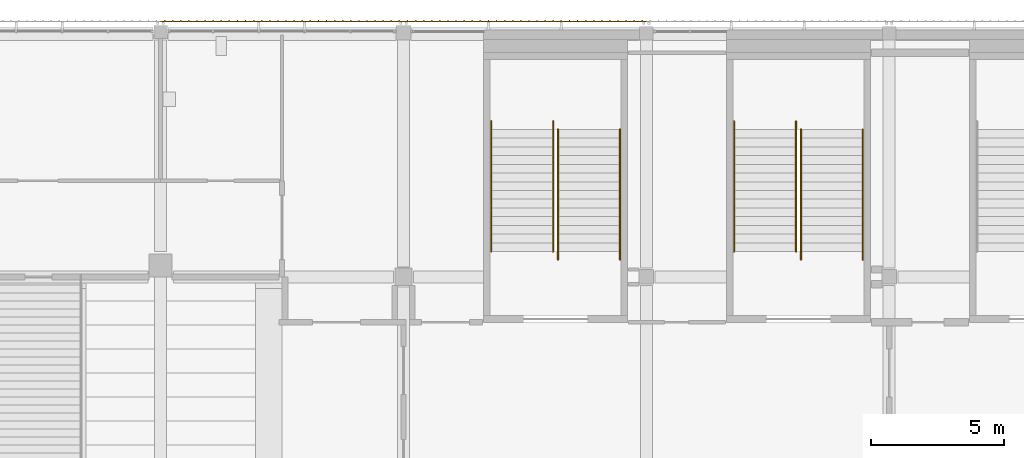
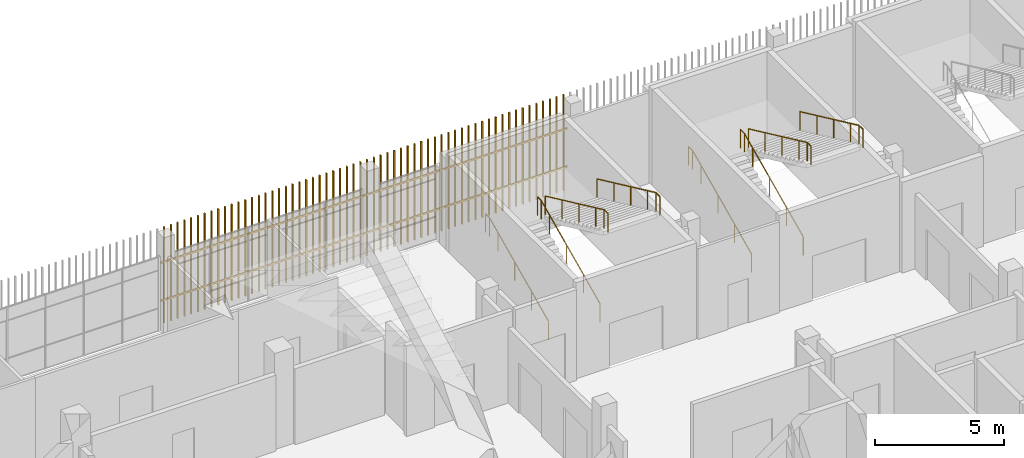
# One storey, part 129 of 139: 8 railings, 2 shading devices.
"""IFC4 building model written with IfcOpenShell, lengths in metres."""

from ifc_helpers import new_model, si_unit, direction, frame, origin, origin_2d, place, context, subcontext, project, spatial, rectangle, circle, extrude, material, type_object, element, save


model = new_model("IFC4")

# Units and contexts
model_context = context("Model", 3, precision=1e-05, world=origin(), true_north=direction((0.0, 1.0)))
body_context = subcontext(model_context, "Body", "Model", "MODEL_VIEW")
ifc_project = project(units=[si_unit("LENGTHUNIT", "METRE"), si_unit("AREAUNIT", "SQUARE_METRE"), si_unit("VOLUMEUNIT", "CUBIC_METRE"), si_unit("PLANEANGLEUNIT", "RADIAN"), si_unit("MASSUNIT", "GRAM", prefix="KILO")], contexts=[model_context])

# Site, building, storey
site_placement = place(None, origin())
site = spatial("IfcSite", under=ifc_project, at=site_placement, CompositionType="ELEMENT")
building_placement = place(site_placement, origin())
building = spatial("IfcBuilding", under=site, at=building_placement, Name="Shirokan Park Arena", CompositionType="ELEMENT")
storey_placement = place(building_placement, frame((0.0, 0.0, 15.469970703125)))
storey = spatial("IfcBuildingStorey", under=building, at=storey_placement, Name="L03", CompositionType="ELEMENT", Elevation=15.469970703125)

# Railings
ifc_material_1 = material(Name="Stainless steel", Category="steel")
railing_type = type_object("IfcRailingType", Name="Stair handrail 900", PredefinedType="HANDRAIL", material=ifc_material_1)
railing_1_placement = place(storey_placement, frame((121.590087890625, 101.050048828125, 0.151611328125)))
element("IfcRailing", 1, at=railing_1_placement, inside=storey, type_object=railing_type, Name="Handrail Exit Stair 3.C L03 to L04", PredefinedType="HANDRAIL", context=body_context, shape_type="SweptSolid", body=[
    extrude(circle(Radius=0.02392578125, at=origin_2d()), frame((0.0, 0.0, 0.8759765625), z_axis=(0.0, 0.906999720516, 0.421131222998), x_axis=(-1.0, 0.0, 0.0)), (0.0, 0.0, 1.0), 1.440673828125),
    extrude(circle(Radius=0.02392578125, at=origin_2d()), frame((0.0, 1.306640625, 1.482421875), z_axis=(0.0, 0.907029769225, 0.421066500378), x_axis=(-1.0, 0.0, 0.0)), (0.0, 0.0, 1.0), 1.44091796875),
    extrude(circle(Radius=0.02392578125, at=origin_2d()), frame((0.0, 2.613525390625, 2.08935546875), z_axis=(0.0, 0.907029769225, 0.421066500378), x_axis=(-1.0, 0.0, 0.0)), (0.0, 0.0, 1.0), 1.44091796875),
    extrude(circle(Radius=0.02392578125, at=origin_2d()), frame((0.0, 3.92041015625, 2.69580078125), z_axis=(0.0, 0.906934982928, 0.421270621741), x_axis=(-1.0, 0.0, 0.0)), (0.0, 0.0, 1.0), 0.720458984375),
    extrude(circle(Radius=0.02392578125, at=origin_2d()), frame((0.0, 4.57373046875, 2.99951171875), z_axis=(0.0, 1.0, 0.0), x_axis=(-1.0, 0.0, 0.0)), (0.0, 0.0, 1.0), 0.300048828125),
    extrude(circle(Radius=0.02099609375, at=origin_2d()), origin(), (0.0, 0.0, 1.0), 0.851806640625),
    extrude(circle(Radius=0.02099609375, at=origin_2d()), frame((0.0, 1.306640625, 0.606689453125)), (0.0, 0.0, 1.0), 0.851806640625),
    extrude(circle(Radius=0.02099609375, at=origin_2d()), frame((0.0, 2.613525390625, 1.21337890625)), (0.0, 0.0, 1.0), 0.851806640625),
    extrude(circle(Radius=0.02099609375, at=origin_2d()), frame((0.0, 3.92041015625, 1.820068359375)), (0.0, 0.0, 1.0), 0.851806640625),
    extrude(circle(Radius=0.02099609375, at=origin_2d()), frame((0.0, 4.57373046875, 2.12353515625)), (0.0, 0.0, 1.0), 0.851806640625),
    extrude(circle(Radius=0.02099609375, at=origin_2d()), frame((0.0, 4.873779296875, 2.12353515625)), (0.0, 0.0, 1.0), 0.851806640625),
])
railing_2_placement = place(storey_placement, frame((123.909912109375, 101.050048828125, 0.151611328125)))
element("IfcRailing", 2, at=railing_2_placement, inside=storey, type_object=railing_type, Name="Handrail Exit Stair 3.C L03 to L04", PredefinedType="HANDRAIL", context=body_context, shape_type="SweptSolid", body=[
    extrude(circle(Radius=0.02392578125, at=origin_2d()), frame((0.0, 0.0, 0.8759765625), z_axis=(0.0, 0.906999720516, 0.421131222998), x_axis=(-1.0, 0.0, 0.0)), (0.0, 0.0, 1.0), 1.440673828125),
    extrude(circle(Radius=0.02392578125, at=origin_2d()), frame((0.0, 1.306640625, 1.482421875), z_axis=(0.0, 0.907029769225, 0.421066500378), x_axis=(-1.0, 0.0, 0.0)), (0.0, 0.0, 1.0), 1.44091796875),
    extrude(circle(Radius=0.02392578125, at=origin_2d()), frame((0.0, 2.613525390625, 2.08935546875), z_axis=(0.0, 0.907029769225, 0.421066500378), x_axis=(-1.0, 0.0, 0.0)), (0.0, 0.0, 1.0), 1.44091796875),
    extrude(circle(Radius=0.02392578125, at=origin_2d()), frame((0.0, 3.92041015625, 2.69580078125), z_axis=(0.0, 0.906934982928, 0.421270621741), x_axis=(-1.0, 0.0, 0.0)), (0.0, 0.0, 1.0), 0.720458984375),
    extrude(circle(Radius=0.02392578125, at=origin_2d()), frame((0.0, 4.57373046875, 2.99951171875), z_axis=(0.0, 1.0, 0.0), x_axis=(-1.0, 0.0, 0.0)), (0.0, 0.0, 1.0), 0.300048828125),
    extrude(circle(Radius=0.02099609375, at=origin_2d()), origin(), (0.0, 0.0, 1.0), 0.851806640625),
    extrude(circle(Radius=0.02099609375, at=origin_2d()), frame((0.0, 1.306640625, 0.606689453125)), (0.0, 0.0, 1.0), 0.851806640625),
    extrude(circle(Radius=0.02099609375, at=origin_2d()), frame((0.0, 2.613525390625, 1.21337890625)), (0.0, 0.0, 1.0), 0.851806640625),
    extrude(circle(Radius=0.02099609375, at=origin_2d()), frame((0.0, 3.92041015625, 1.820068359375)), (0.0, 0.0, 1.0), 0.851806640625),
    extrude(circle(Radius=0.02099609375, at=origin_2d()), frame((0.0, 4.57373046875, 2.12353515625)), (0.0, 0.0, 1.0), 0.851806640625),
    extrude(circle(Radius=0.02099609375, at=origin_2d()), frame((0.0, 4.873779296875, 2.12353515625)), (0.0, 0.0, 1.0), 0.851806640625),
])
railing_3_placement = place(storey_placement, frame((124.090087890625, 105.623779296875, 2.4267578125)))
element("IfcRailing", 3, at=railing_3_placement, inside=storey, type_object=railing_type, Name="Handrail Exit Stair 3.C L03 to L04", PredefinedType="HANDRAIL", context=body_context, shape_type="SweptSolid", body=[
    extrude(circle(Radius=0.02392578125, at=origin_2d()), frame((0.0, 0.0, 0.8759765625), z_axis=(0.0, -0.907029769225, 0.421066500378), x_axis=(1.0, 0.0, 0.0)), (0.0, 0.0, 1.0), 1.44091796875),
    extrude(circle(Radius=0.02392578125, at=origin_2d()), frame((0.0, -1.306884765625, 1.482421875), z_axis=(0.0, -0.906999720516, 0.421131222998), x_axis=(1.0, 0.0, 0.0)), (0.0, 0.0, 1.0), 1.440673828125),
    extrude(circle(Radius=0.02392578125, at=origin_2d()), frame((0.0, -2.613525390625, 2.08935546875), z_axis=(0.0, -0.907094476872, 0.420927083981), x_axis=(1.0, 0.0, 0.0)), (0.0, 0.0, 1.0), 1.440673828125),
    extrude(circle(Radius=0.02392578125, at=origin_2d()), frame((0.0, -3.92041015625, 2.69580078125), z_axis=(0.0, -0.906934982928, 0.421270621741), x_axis=(1.0, 0.0, 0.0)), (0.0, 0.0, 1.0), 0.720458984375),
    extrude(circle(Radius=0.02392578125, at=origin_2d()), frame((0.0, -4.57373046875, 2.9990234375), z_axis=(0.0, -1.0, 0.0), x_axis=(1.0, 0.0, 0.0)), (0.0, 0.0, 1.0), 0.300048828125),
    extrude(circle(Radius=0.02099609375, at=origin_2d()), origin(), (0.0, 0.0, 1.0), 0.851806640625),
    extrude(circle(Radius=0.02099609375, at=origin_2d()), frame((0.0, -1.306884765625, 0.606689453125)), (0.0, 0.0, 1.0), 0.851806640625),
    extrude(circle(Radius=0.02099609375, at=origin_2d()), frame((0.0, -2.613525390625, 1.21337890625)), (0.0, 0.0, 1.0), 0.851806640625),
    extrude(circle(Radius=0.02099609375, at=origin_2d()), frame((0.0, -3.92041015625, 1.81982421875)), (0.0, 0.0, 1.0), 0.851806640625),
    extrude(circle(Radius=0.02099609375, at=origin_2d()), frame((0.0, -4.57373046875, 2.123291015625)), (0.0, 0.0, 1.0), 0.851806640625),
    extrude(circle(Radius=0.02099609375, at=origin_2d()), frame((0.0, -4.873779296875, 2.123291015625)), (0.0, 0.0, 1.0), 0.851806640625),
])
railing_4_placement = place(storey_placement, frame((126.409912109375, 105.623779296875, 2.4267578125)))
element("IfcRailing", 4, at=railing_4_placement, inside=storey, type_object=railing_type, Name="Handrail Exit Stair 3.C L03 to L04", PredefinedType="HANDRAIL", context=body_context, shape_type="SweptSolid", body=[
    extrude(circle(Radius=0.02392578125, at=origin_2d()), frame((0.0, 0.0, 0.8759765625), z_axis=(0.0, -0.907029769225, 0.421066500378), x_axis=(1.0, 0.0, 0.0)), (0.0, 0.0, 1.0), 1.44091796875),
    extrude(circle(Radius=0.02392578125, at=origin_2d()), frame((0.0, -1.306884765625, 1.482421875), z_axis=(0.0, -0.906999720516, 0.421131222998), x_axis=(1.0, 0.0, 0.0)), (0.0, 0.0, 1.0), 1.440673828125),
    extrude(circle(Radius=0.02392578125, at=origin_2d()), frame((0.0, -2.613525390625, 2.08935546875), z_axis=(0.0, -0.907094476872, 0.420927083981), x_axis=(1.0, 0.0, 0.0)), (0.0, 0.0, 1.0), 1.440673828125),
    extrude(circle(Radius=0.02392578125, at=origin_2d()), frame((0.0, -3.92041015625, 2.69580078125), z_axis=(0.0, -0.906934982928, 0.421270621741), x_axis=(1.0, 0.0, 0.0)), (0.0, 0.0, 1.0), 0.720458984375),
    extrude(circle(Radius=0.02392578125, at=origin_2d()), frame((0.0, -4.57373046875, 2.9990234375), z_axis=(0.0, -1.0, 0.0), x_axis=(1.0, 0.0, 0.0)), (0.0, 0.0, 1.0), 0.300048828125),
    extrude(circle(Radius=0.02099609375, at=origin_2d()), origin(), (0.0, 0.0, 1.0), 0.851806640625),
    extrude(circle(Radius=0.02099609375, at=origin_2d()), frame((0.0, -1.306884765625, 0.606689453125)), (0.0, 0.0, 1.0), 0.851806640625),
    extrude(circle(Radius=0.02099609375, at=origin_2d()), frame((0.0, -2.613525390625, 1.21337890625)), (0.0, 0.0, 1.0), 0.851806640625),
    extrude(circle(Radius=0.02099609375, at=origin_2d()), frame((0.0, -3.92041015625, 1.81982421875)), (0.0, 0.0, 1.0), 0.851806640625),
    extrude(circle(Radius=0.02099609375, at=origin_2d()), frame((0.0, -4.57373046875, 2.123291015625)), (0.0, 0.0, 1.0), 0.851806640625),
    extrude(circle(Radius=0.02099609375, at=origin_2d()), frame((0.0, -4.873779296875, 2.123291015625)), (0.0, 0.0, 1.0), 0.851806640625),
])
railing_5_placement = place(storey_placement, frame((112.489990234375, 101.050048828125, 0.151611328125)))
element("IfcRailing", 5, at=railing_5_placement, inside=storey, type_object=railing_type, Name="Handrail Exit Stair 3.D L03 to L04", PredefinedType="HANDRAIL", context=body_context, shape_type="SweptSolid", body=[
    extrude(circle(Radius=0.02392578125, at=origin_2d()), frame((0.0, 0.0, 0.8759765625), z_axis=(0.0, 0.906999720516, 0.421131222998), x_axis=(-1.0, 0.0, 0.0)), (0.0, 0.0, 1.0), 1.440673828125),
    extrude(circle(Radius=0.02392578125, at=origin_2d()), frame((0.0, 1.306640625, 1.482421875), z_axis=(0.0, 0.907029769225, 0.421066500378), x_axis=(-1.0, 0.0, 0.0)), (0.0, 0.0, 1.0), 1.44091796875),
    extrude(circle(Radius=0.02392578125, at=origin_2d()), frame((0.0, 2.613525390625, 2.08935546875), z_axis=(0.0, 0.907029769225, 0.421066500378), x_axis=(-1.0, 0.0, 0.0)), (0.0, 0.0, 1.0), 1.44091796875),
    extrude(circle(Radius=0.02392578125, at=origin_2d()), frame((0.0, 3.92041015625, 2.69580078125), z_axis=(0.0, 0.906934982928, 0.421270621741), x_axis=(-1.0, 0.0, 0.0)), (0.0, 0.0, 1.0), 0.720458984375),
    extrude(circle(Radius=0.02392578125, at=origin_2d()), frame((0.0, 4.57373046875, 2.99951171875), z_axis=(0.0, 1.0, 0.0), x_axis=(-1.0, 0.0, 0.0)), (0.0, 0.0, 1.0), 0.300048828125),
    extrude(circle(Radius=0.02099609375, at=origin_2d()), origin(), (0.0, 0.0, 1.0), 0.851806640625),
    extrude(circle(Radius=0.02099609375, at=origin_2d()), frame((0.0, 1.306640625, 0.606689453125)), (0.0, 0.0, 1.0), 0.851806640625),
    extrude(circle(Radius=0.02099609375, at=origin_2d()), frame((0.0, 2.613525390625, 1.21337890625)), (0.0, 0.0, 1.0), 0.851806640625),
    extrude(circle(Radius=0.02099609375, at=origin_2d()), frame((0.0, 3.92041015625, 1.820068359375)), (0.0, 0.0, 1.0), 0.851806640625),
    extrude(circle(Radius=0.02099609375, at=origin_2d()), frame((0.0, 4.57373046875, 2.12353515625)), (0.0, 0.0, 1.0), 0.851806640625),
    extrude(circle(Radius=0.02099609375, at=origin_2d()), frame((0.0, 4.873779296875, 2.12353515625)), (0.0, 0.0, 1.0), 0.851806640625),
])
railing_6_placement = place(storey_placement, frame((114.81005859375, 101.050048828125, 0.151611328125)))
element("IfcRailing", 6, at=railing_6_placement, inside=storey, type_object=railing_type, Name="Handrail Exit Stair 3.D L03 to L04", PredefinedType="HANDRAIL", context=body_context, shape_type="SweptSolid", body=[
    extrude(circle(Radius=0.02392578125, at=origin_2d()), frame((0.0, 0.0, 0.8759765625), z_axis=(0.0, 0.906999720516, 0.421131222998), x_axis=(-1.0, 0.0, 0.0)), (0.0, 0.0, 1.0), 1.440673828125),
    extrude(circle(Radius=0.02392578125, at=origin_2d()), frame((0.0, 1.306640625, 1.482421875), z_axis=(0.0, 0.907029769225, 0.421066500378), x_axis=(-1.0, 0.0, 0.0)), (0.0, 0.0, 1.0), 1.44091796875),
    extrude(circle(Radius=0.02392578125, at=origin_2d()), frame((0.0, 2.613525390625, 2.08935546875), z_axis=(0.0, 0.907029769225, 0.421066500378), x_axis=(-1.0, 0.0, 0.0)), (0.0, 0.0, 1.0), 1.44091796875),
    extrude(circle(Radius=0.02392578125, at=origin_2d()), frame((0.0, 3.92041015625, 2.69580078125), z_axis=(0.0, 0.906934982928, 0.421270621741), x_axis=(-1.0, 0.0, 0.0)), (0.0, 0.0, 1.0), 0.720458984375),
    extrude(circle(Radius=0.02392578125, at=origin_2d()), frame((0.0, 4.57373046875, 2.99951171875), z_axis=(0.0, 1.0, 0.0), x_axis=(-1.0, 0.0, 0.0)), (0.0, 0.0, 1.0), 0.300048828125),
    extrude(circle(Radius=0.02099609375, at=origin_2d()), origin(), (0.0, 0.0, 1.0), 0.851806640625),
    extrude(circle(Radius=0.02099609375, at=origin_2d()), frame((0.0, 1.306640625, 0.606689453125)), (0.0, 0.0, 1.0), 0.851806640625),
    extrude(circle(Radius=0.02099609375, at=origin_2d()), frame((0.0, 2.613525390625, 1.21337890625)), (0.0, 0.0, 1.0), 0.851806640625),
    extrude(circle(Radius=0.02099609375, at=origin_2d()), frame((0.0, 3.92041015625, 1.820068359375)), (0.0, 0.0, 1.0), 0.851806640625),
    extrude(circle(Radius=0.02099609375, at=origin_2d()), frame((0.0, 4.57373046875, 2.12353515625)), (0.0, 0.0, 1.0), 0.851806640625),
    extrude(circle(Radius=0.02099609375, at=origin_2d()), frame((0.0, 4.873779296875, 2.12353515625)), (0.0, 0.0, 1.0), 0.851806640625),
])
railing_7_placement = place(storey_placement, frame((114.989990234375, 105.623779296875, 2.4267578125)))
element("IfcRailing", 7, at=railing_7_placement, inside=storey, type_object=railing_type, Name="Handrail Exit Stair 3.D L03 to L04", PredefinedType="HANDRAIL", context=body_context, shape_type="SweptSolid", body=[
    extrude(circle(Radius=0.02392578125, at=origin_2d()), frame((0.0, 0.0, 0.8759765625), z_axis=(0.0, -0.907029769225, 0.421066500378), x_axis=(1.0, 0.0, 0.0)), (0.0, 0.0, 1.0), 1.44091796875),
    extrude(circle(Radius=0.02392578125, at=origin_2d()), frame((0.0, -1.306884765625, 1.482421875), z_axis=(0.0, -0.906999720516, 0.421131222998), x_axis=(1.0, 0.0, 0.0)), (0.0, 0.0, 1.0), 1.440673828125),
    extrude(circle(Radius=0.02392578125, at=origin_2d()), frame((0.0, -2.613525390625, 2.08935546875), z_axis=(0.0, -0.907094476872, 0.420927083981), x_axis=(1.0, 0.0, 0.0)), (0.0, 0.0, 1.0), 1.440673828125),
    extrude(circle(Radius=0.02392578125, at=origin_2d()), frame((0.0, -3.92041015625, 2.69580078125), z_axis=(0.0, -0.906934982928, 0.421270621741), x_axis=(1.0, 0.0, 0.0)), (0.0, 0.0, 1.0), 0.720458984375),
    extrude(circle(Radius=0.02392578125, at=origin_2d()), frame((0.0, -4.57373046875, 2.9990234375), z_axis=(0.0, -1.0, 0.0), x_axis=(1.0, 0.0, 0.0)), (0.0, 0.0, 1.0), 0.300048828125),
    extrude(circle(Radius=0.02099609375, at=origin_2d()), origin(), (0.0, 0.0, 1.0), 0.851806640625),
    extrude(circle(Radius=0.02099609375, at=origin_2d()), frame((0.0, -1.306884765625, 0.606689453125)), (0.0, 0.0, 1.0), 0.851806640625),
    extrude(circle(Radius=0.02099609375, at=origin_2d()), frame((0.0, -2.613525390625, 1.21337890625)), (0.0, 0.0, 1.0), 0.851806640625),
    extrude(circle(Radius=0.02099609375, at=origin_2d()), frame((0.0, -3.92041015625, 1.81982421875)), (0.0, 0.0, 1.0), 0.851806640625),
    extrude(circle(Radius=0.02099609375, at=origin_2d()), frame((0.0, -4.57373046875, 2.123291015625)), (0.0, 0.0, 1.0), 0.851806640625),
    extrude(circle(Radius=0.02099609375, at=origin_2d()), frame((0.0, -4.873779296875, 2.123291015625)), (0.0, 0.0, 1.0), 0.851806640625),
])
railing_8_placement = place(storey_placement, frame((117.31005859375, 105.623779296875, 2.4267578125)))
element("IfcRailing", 8, at=railing_8_placement, inside=storey, type_object=railing_type, Name="Handrail Exit Stair 3.D L03 to L04", PredefinedType="HANDRAIL", context=body_context, shape_type="SweptSolid", body=[
    extrude(circle(Radius=0.02392578125, at=origin_2d()), frame((0.0, 0.0, 0.8759765625), z_axis=(0.0, -0.907029769225, 0.421066500378), x_axis=(1.0, 0.0, 0.0)), (0.0, 0.0, 1.0), 1.44091796875),
    extrude(circle(Radius=0.02392578125, at=origin_2d()), frame((0.0, -1.306884765625, 1.482421875), z_axis=(0.0, -0.906999720516, 0.421131222998), x_axis=(1.0, 0.0, 0.0)), (0.0, 0.0, 1.0), 1.440673828125),
    extrude(circle(Radius=0.02392578125, at=origin_2d()), frame((0.0, -2.613525390625, 2.08935546875), z_axis=(0.0, -0.907094476872, 0.420927083981), x_axis=(1.0, 0.0, 0.0)), (0.0, 0.0, 1.0), 1.440673828125),
    extrude(circle(Radius=0.02392578125, at=origin_2d()), frame((0.0, -3.92041015625, 2.69580078125), z_axis=(0.0, -0.906934982928, 0.421270621741), x_axis=(1.0, 0.0, 0.0)), (0.0, 0.0, 1.0), 0.720458984375),
    extrude(circle(Radius=0.02392578125, at=origin_2d()), frame((0.0, -4.57373046875, 2.9990234375), z_axis=(0.0, -1.0, 0.0), x_axis=(1.0, 0.0, 0.0)), (0.0, 0.0, 1.0), 0.300048828125),
    extrude(circle(Radius=0.02099609375, at=origin_2d()), origin(), (0.0, 0.0, 1.0), 0.851806640625),
    extrude(circle(Radius=0.02099609375, at=origin_2d()), frame((0.0, -1.306884765625, 0.606689453125)), (0.0, 0.0, 1.0), 0.851806640625),
    extrude(circle(Radius=0.02099609375, at=origin_2d()), frame((0.0, -2.613525390625, 1.21337890625)), (0.0, 0.0, 1.0), 0.851806640625),
    extrude(circle(Radius=0.02099609375, at=origin_2d()), frame((0.0, -3.92041015625, 1.81982421875)), (0.0, 0.0, 1.0), 0.851806640625),
    extrude(circle(Radius=0.02099609375, at=origin_2d()), frame((0.0, -4.57373046875, 2.123291015625)), (0.0, 0.0, 1.0), 0.851806640625),
    extrude(circle(Radius=0.02099609375, at=origin_2d()), frame((0.0, -4.873779296875, 2.123291015625)), (0.0, 0.0, 1.0), 0.851806640625),
])

# Shading devices
ifc_material_2 = material(Name="Timber louvre veil (cedar)", Category="wood")
shading_device_type = type_object("IfcShadingDeviceType", Name="Timber louvre veil panel", PredefinedType="JALOUSIE", material=ifc_material_2)
shading_device_1_placement = place(storey_placement, origin())
element("IfcShadingDevice", 9, at=shading_device_1_placement, inside=storey, type_object=shading_device_type, Name="Timber louvre veil north bay 4 L03", PredefinedType="JALOUSIE", context=body_context, shape_type="SweptSolid", body=[
    extrude(rectangle(XDim=0.050048828125, YDim=0.080078125, at=origin_2d()), frame((118.1484375, 109.68505859375, 0.0), z_axis=(0.0, 0.0, 1.0), x_axis=(-1.0, 0.0, 0.0)), (0.0, 0.0, 1.0), 4.550048828125),
    extrude(rectangle(XDim=0.050048828125, YDim=0.080078125, at=origin_2d()), frame((117.844970703125, 109.68505859375, 0.0), z_axis=(0.0, 0.0, 1.0), x_axis=(-1.0, 0.0, 0.0)), (0.0, 0.0, 1.0), 4.550048828125),
    extrude(rectangle(XDim=0.050048828125, YDim=0.080078125, at=origin_2d()), frame((117.541748046875, 109.68505859375, 0.0), z_axis=(0.0, 0.0, 1.0), x_axis=(-1.0, 0.0, 0.0)), (0.0, 0.0, 1.0), 4.550048828125),
    extrude(rectangle(XDim=0.050048828125, YDim=0.080078125, at=origin_2d()), frame((117.23828125, 109.68505859375, 0.0), z_axis=(0.0, 0.0, 1.0), x_axis=(-1.0, 0.0, 0.0)), (0.0, 0.0, 1.0), 4.550048828125),
    extrude(rectangle(XDim=0.050048828125, YDim=0.080078125, at=origin_2d()), frame((116.93505859375, 109.68505859375, 0.0), z_axis=(0.0, 0.0, 1.0), x_axis=(-1.0, 0.0, 0.0)), (0.0, 0.0, 1.0), 4.550048828125),
    extrude(rectangle(XDim=0.050048828125, YDim=0.080078125, at=origin_2d()), frame((116.631591796875, 109.68505859375, 0.0), z_axis=(0.0, 0.0, 1.0), x_axis=(-1.0, 0.0, 0.0)), (0.0, 0.0, 1.0), 4.550048828125),
    extrude(rectangle(XDim=0.050048828125, YDim=0.080078125, at=origin_2d()), frame((116.328369140625, 109.68505859375, 0.0), z_axis=(0.0, 0.0, 1.0), x_axis=(-1.0, 0.0, 0.0)), (0.0, 0.0, 1.0), 4.550048828125),
    extrude(rectangle(XDim=0.050048828125, YDim=0.080078125, at=origin_2d()), frame((116.02490234375, 109.68505859375, 0.0), z_axis=(0.0, 0.0, 1.0), x_axis=(-1.0, 0.0, 0.0)), (0.0, 0.0, 1.0), 4.550048828125),
    extrude(rectangle(XDim=0.050048828125, YDim=0.080078125, at=origin_2d()), frame((115.7216796875, 109.68505859375, 0.0), z_axis=(0.0, 0.0, 1.0), x_axis=(-1.0, 0.0, 0.0)), (0.0, 0.0, 1.0), 4.550048828125),
    extrude(rectangle(XDim=0.050048828125, YDim=0.080078125, at=origin_2d()), frame((115.418212890625, 109.68505859375, 0.0), z_axis=(0.0, 0.0, 1.0), x_axis=(-1.0, 0.0, 0.0)), (0.0, 0.0, 1.0), 4.550048828125),
    extrude(rectangle(XDim=0.050048828125, YDim=0.080078125, at=origin_2d()), frame((115.114990234375, 109.68505859375, 0.0), z_axis=(0.0, 0.0, 1.0), x_axis=(-1.0, 0.0, 0.0)), (0.0, 0.0, 1.0), 4.550048828125),
    extrude(rectangle(XDim=0.050048828125, YDim=0.080078125, at=origin_2d()), frame((114.811767578125, 109.68505859375, 0.0), z_axis=(0.0, 0.0, 1.0), x_axis=(-1.0, 0.0, 0.0)), (0.0, 0.0, 1.0), 4.550048828125),
    extrude(rectangle(XDim=0.050048828125, YDim=0.080078125, at=origin_2d()), frame((114.50830078125, 109.68505859375, 0.0), z_axis=(0.0, 0.0, 1.0), x_axis=(-1.0, 0.0, 0.0)), (0.0, 0.0, 1.0), 4.550048828125),
    extrude(rectangle(XDim=0.050048828125, YDim=0.080078125, at=origin_2d()), frame((114.205078125, 109.68505859375, 0.0), z_axis=(0.0, 0.0, 1.0), x_axis=(-1.0, 0.0, 0.0)), (0.0, 0.0, 1.0), 4.550048828125),
    extrude(rectangle(XDim=0.050048828125, YDim=0.080078125, at=origin_2d()), frame((113.901611328125, 109.68505859375, 0.0), z_axis=(0.0, 0.0, 1.0), x_axis=(-1.0, 0.0, 0.0)), (0.0, 0.0, 1.0), 4.550048828125),
    extrude(rectangle(XDim=0.050048828125, YDim=0.080078125, at=origin_2d()), frame((113.598388671875, 109.68505859375, 0.0), z_axis=(0.0, 0.0, 1.0), x_axis=(-1.0, 0.0, 0.0)), (0.0, 0.0, 1.0), 4.550048828125),
    extrude(rectangle(XDim=0.050048828125, YDim=0.080078125, at=origin_2d()), frame((113.294921875, 109.68505859375, 0.0), z_axis=(0.0, 0.0, 1.0), x_axis=(-1.0, 0.0, 0.0)), (0.0, 0.0, 1.0), 4.550048828125),
    extrude(rectangle(XDim=0.050048828125, YDim=0.080078125, at=origin_2d()), frame((112.99169921875, 109.68505859375, 0.0), z_axis=(0.0, 0.0, 1.0), x_axis=(-1.0, 0.0, 0.0)), (0.0, 0.0, 1.0), 4.550048828125),
    extrude(rectangle(XDim=0.050048828125, YDim=0.080078125, at=origin_2d()), frame((112.688232421875, 109.68505859375, 0.0), z_axis=(0.0, 0.0, 1.0), x_axis=(-1.0, 0.0, 0.0)), (0.0, 0.0, 1.0), 4.550048828125),
    extrude(rectangle(XDim=0.050048828125, YDim=0.080078125, at=origin_2d()), frame((112.385009765625, 109.68505859375, 0.0), z_axis=(0.0, 0.0, 1.0), x_axis=(-1.0, 0.0, 0.0)), (0.0, 0.0, 1.0), 4.550048828125),
    extrude(rectangle(XDim=0.050048828125, YDim=0.080078125, at=origin_2d()), frame((112.081787109375, 109.68505859375, 0.0), z_axis=(0.0, 0.0, 1.0), x_axis=(-1.0, 0.0, 0.0)), (0.0, 0.0, 1.0), 4.550048828125),
    extrude(rectangle(XDim=0.050048828125, YDim=0.080078125, at=origin_2d()), frame((111.7783203125, 109.68505859375, 0.0), z_axis=(0.0, 0.0, 1.0), x_axis=(-1.0, 0.0, 0.0)), (0.0, 0.0, 1.0), 4.550048828125),
    extrude(rectangle(XDim=0.050048828125, YDim=0.080078125, at=origin_2d()), frame((111.47509765625, 109.68505859375, 0.0), z_axis=(0.0, 0.0, 1.0), x_axis=(-1.0, 0.0, 0.0)), (0.0, 0.0, 1.0), 4.550048828125),
    extrude(rectangle(XDim=0.050048828125, YDim=0.080078125, at=origin_2d()), frame((111.171630859375, 109.68505859375, 0.0), z_axis=(0.0, 0.0, 1.0), x_axis=(-1.0, 0.0, 0.0)), (0.0, 0.0, 1.0), 4.550048828125),
    extrude(rectangle(XDim=0.050048828125, YDim=0.080078125, at=origin_2d()), frame((110.868408203125, 109.68505859375, 0.0), z_axis=(0.0, 0.0, 1.0), x_axis=(-1.0, 0.0, 0.0)), (0.0, 0.0, 1.0), 4.550048828125),
    extrude(rectangle(XDim=0.050048828125, YDim=0.080078125, at=origin_2d()), frame((110.56494140625, 109.68505859375, 0.0), z_axis=(0.0, 0.0, 1.0), x_axis=(-1.0, 0.0, 0.0)), (0.0, 0.0, 1.0), 4.550048828125),
    extrude(rectangle(XDim=0.050048828125, YDim=0.080078125, at=origin_2d()), frame((110.26171875, 109.68505859375, 0.0), z_axis=(0.0, 0.0, 1.0), x_axis=(-1.0, 0.0, 0.0)), (0.0, 0.0, 1.0), 4.550048828125),
    extrude(rectangle(XDim=0.050048828125, YDim=0.080078125, at=origin_2d()), frame((109.958251953125, 109.68505859375, 0.0), z_axis=(0.0, 0.0, 1.0), x_axis=(-1.0, 0.0, 0.0)), (0.0, 0.0, 1.0), 4.550048828125),
    extrude(rectangle(XDim=0.050048828125, YDim=0.080078125, at=origin_2d()), frame((109.655029296875, 109.68505859375, 0.0), z_axis=(0.0, 0.0, 1.0), x_axis=(-1.0, 0.0, 0.0)), (0.0, 0.0, 1.0), 4.550048828125),
    extrude(rectangle(XDim=0.050048828125, YDim=0.080078125, at=origin_2d()), frame((109.3515625, 109.68505859375, 0.0), z_axis=(0.0, 0.0, 1.0), x_axis=(-1.0, 0.0, 0.0)), (0.0, 0.0, 1.0), 4.550048828125),
    extrude(rectangle(XDim=9.10009765625, YDim=0.050048828125, at=origin_2d()), frame((113.75, 109.669921875, 1.06005859375), z_axis=(0.0, 0.0, 1.0), x_axis=(-1.0, 0.0, 0.0)), (0.0, 0.0, 1.0), 0.080078125),
    extrude(rectangle(XDim=9.10009765625, YDim=0.050048828125, at=origin_2d()), frame((113.75, 109.669921875, 2.860107421875), z_axis=(0.0, 0.0, 1.0), x_axis=(-1.0, 0.0, 0.0)), (0.0, 0.0, 1.0), 0.080078125),
])
shading_device_2_placement = place(storey_placement, origin())
element("IfcShadingDevice", 10, at=shading_device_2_placement, inside=storey, type_object=shading_device_type, Name="Timber louvre veil north bay 5 L03", PredefinedType="JALOUSIE", context=body_context, shape_type="SweptSolid", body=[
    extrude(rectangle(XDim=0.050048828125, YDim=0.080078125, at=origin_2d()), frame((109.04833984375, 109.68505859375, 0.0), z_axis=(0.0, 0.0, 1.0), x_axis=(-1.0, 0.0, 0.0)), (0.0, 0.0, 1.0), 4.550048828125),
    extrude(rectangle(XDim=0.050048828125, YDim=0.080078125, at=origin_2d()), frame((108.7451171875, 109.68505859375, 0.0), z_axis=(0.0, 0.0, 1.0), x_axis=(-1.0, 0.0, 0.0)), (0.0, 0.0, 1.0), 4.550048828125),
    extrude(rectangle(XDim=0.050048828125, YDim=0.080078125, at=origin_2d()), frame((108.441650390625, 109.68505859375, 0.0), z_axis=(0.0, 0.0, 1.0), x_axis=(-1.0, 0.0, 0.0)), (0.0, 0.0, 1.0), 4.550048828125),
    extrude(rectangle(XDim=0.050048828125, YDim=0.080078125, at=origin_2d()), frame((108.138427734375, 109.68505859375, 0.0), z_axis=(0.0, 0.0, 1.0), x_axis=(-1.0, 0.0, 0.0)), (0.0, 0.0, 1.0), 4.550048828125),
    extrude(rectangle(XDim=0.050048828125, YDim=0.080078125, at=origin_2d()), frame((107.8349609375, 109.68505859375, 0.0), z_axis=(0.0, 0.0, 1.0), x_axis=(-1.0, 0.0, 0.0)), (0.0, 0.0, 1.0), 4.550048828125),
    extrude(rectangle(XDim=0.050048828125, YDim=0.080078125, at=origin_2d()), frame((107.53173828125, 109.68505859375, 0.0), z_axis=(0.0, 0.0, 1.0), x_axis=(-1.0, 0.0, 0.0)), (0.0, 0.0, 1.0), 4.550048828125),
    extrude(rectangle(XDim=0.050048828125, YDim=0.080078125, at=origin_2d()), frame((107.228271484375, 109.68505859375, 0.0), z_axis=(0.0, 0.0, 1.0), x_axis=(-1.0, 0.0, 0.0)), (0.0, 0.0, 1.0), 4.550048828125),
    extrude(rectangle(XDim=0.050048828125, YDim=0.080078125, at=origin_2d()), frame((106.925048828125, 109.68505859375, 0.0), z_axis=(0.0, 0.0, 1.0), x_axis=(-1.0, 0.0, 0.0)), (0.0, 0.0, 1.0), 4.550048828125),
    extrude(rectangle(XDim=0.050048828125, YDim=0.080078125, at=origin_2d()), frame((106.62158203125, 109.68505859375, 0.0), z_axis=(0.0, 0.0, 1.0), x_axis=(-1.0, 0.0, 0.0)), (0.0, 0.0, 1.0), 4.550048828125),
    extrude(rectangle(XDim=0.050048828125, YDim=0.080078125, at=origin_2d()), frame((106.318359375, 109.68505859375, 0.0), z_axis=(0.0, 0.0, 1.0), x_axis=(-1.0, 0.0, 0.0)), (0.0, 0.0, 1.0), 4.550048828125),
    extrude(rectangle(XDim=0.050048828125, YDim=0.080078125, at=origin_2d()), frame((106.014892578125, 109.68505859375, 0.0), z_axis=(0.0, 0.0, 1.0), x_axis=(-1.0, 0.0, 0.0)), (0.0, 0.0, 1.0), 4.550048828125),
    extrude(rectangle(XDim=0.050048828125, YDim=0.080078125, at=origin_2d()), frame((105.711669921875, 109.68505859375, 0.0), z_axis=(0.0, 0.0, 1.0), x_axis=(-1.0, 0.0, 0.0)), (0.0, 0.0, 1.0), 4.550048828125),
    extrude(rectangle(XDim=0.050048828125, YDim=0.080078125, at=origin_2d()), frame((105.408447265625, 109.68505859375, 0.0), z_axis=(0.0, 0.0, 1.0), x_axis=(-1.0, 0.0, 0.0)), (0.0, 0.0, 1.0), 4.550048828125),
    extrude(rectangle(XDim=0.050048828125, YDim=0.080078125, at=origin_2d()), frame((105.10498046875, 109.68505859375, 0.0), z_axis=(0.0, 0.0, 1.0), x_axis=(-1.0, 0.0, 0.0)), (0.0, 0.0, 1.0), 4.550048828125),
    extrude(rectangle(XDim=0.050048828125, YDim=0.080078125, at=origin_2d()), frame((104.8017578125, 109.68505859375, 0.0), z_axis=(0.0, 0.0, 1.0), x_axis=(-1.0, 0.0, 0.0)), (0.0, 0.0, 1.0), 4.550048828125),
    extrude(rectangle(XDim=0.050048828125, YDim=0.080078125, at=origin_2d()), frame((104.498291015625, 109.68505859375, 0.0), z_axis=(0.0, 0.0, 1.0), x_axis=(-1.0, 0.0, 0.0)), (0.0, 0.0, 1.0), 4.550048828125),
    extrude(rectangle(XDim=0.050048828125, YDim=0.080078125, at=origin_2d()), frame((104.195068359375, 109.68505859375, 0.0), z_axis=(0.0, 0.0, 1.0), x_axis=(-1.0, 0.0, 0.0)), (0.0, 0.0, 1.0), 4.550048828125),
    extrude(rectangle(XDim=0.050048828125, YDim=0.080078125, at=origin_2d()), frame((103.8916015625, 109.68505859375, 0.0), z_axis=(0.0, 0.0, 1.0), x_axis=(-1.0, 0.0, 0.0)), (0.0, 0.0, 1.0), 4.550048828125),
    extrude(rectangle(XDim=0.050048828125, YDim=0.080078125, at=origin_2d()), frame((103.58837890625, 109.68505859375, 0.0), z_axis=(0.0, 0.0, 1.0), x_axis=(-1.0, 0.0, 0.0)), (0.0, 0.0, 1.0), 4.550048828125),
    extrude(rectangle(XDim=0.050048828125, YDim=0.080078125, at=origin_2d()), frame((103.284912109375, 109.68505859375, 0.0), z_axis=(0.0, 0.0, 1.0), x_axis=(-1.0, 0.0, 0.0)), (0.0, 0.0, 1.0), 4.550048828125),
    extrude(rectangle(XDim=0.050048828125, YDim=0.080078125, at=origin_2d()), frame((102.981689453125, 109.68505859375, 0.0), z_axis=(0.0, 0.0, 1.0), x_axis=(-1.0, 0.0, 0.0)), (0.0, 0.0, 1.0), 4.550048828125),
    extrude(rectangle(XDim=0.050048828125, YDim=0.080078125, at=origin_2d()), frame((102.67822265625, 109.68505859375, 0.0), z_axis=(0.0, 0.0, 1.0), x_axis=(-1.0, 0.0, 0.0)), (0.0, 0.0, 1.0), 4.550048828125),
    extrude(rectangle(XDim=0.050048828125, YDim=0.080078125, at=origin_2d()), frame((102.375, 109.68505859375, 0.0), z_axis=(0.0, 0.0, 1.0), x_axis=(-1.0, 0.0, 0.0)), (0.0, 0.0, 1.0), 4.550048828125),
    extrude(rectangle(XDim=0.050048828125, YDim=0.080078125, at=origin_2d()), frame((102.07177734375, 109.68505859375, 0.0), z_axis=(0.0, 0.0, 1.0), x_axis=(-1.0, 0.0, 0.0)), (0.0, 0.0, 1.0), 4.550048828125),
    extrude(rectangle(XDim=0.050048828125, YDim=0.080078125, at=origin_2d()), frame((101.768310546875, 109.68505859375, 0.0), z_axis=(0.0, 0.0, 1.0), x_axis=(-1.0, 0.0, 0.0)), (0.0, 0.0, 1.0), 4.550048828125),
    extrude(rectangle(XDim=0.050048828125, YDim=0.080078125, at=origin_2d()), frame((101.465087890625, 109.68505859375, 0.0), z_axis=(0.0, 0.0, 1.0), x_axis=(-1.0, 0.0, 0.0)), (0.0, 0.0, 1.0), 4.550048828125),
    extrude(rectangle(XDim=0.050048828125, YDim=0.080078125, at=origin_2d()), frame((101.16162109375, 109.68505859375, 0.0), z_axis=(0.0, 0.0, 1.0), x_axis=(-1.0, 0.0, 0.0)), (0.0, 0.0, 1.0), 4.550048828125),
    extrude(rectangle(XDim=0.050048828125, YDim=0.080078125, at=origin_2d()), frame((100.8583984375, 109.68505859375, 0.0), z_axis=(0.0, 0.0, 1.0), x_axis=(-1.0, 0.0, 0.0)), (0.0, 0.0, 1.0), 4.550048828125),
    extrude(rectangle(XDim=0.050048828125, YDim=0.080078125, at=origin_2d()), frame((100.554931640625, 109.68505859375, 0.0), z_axis=(0.0, 0.0, 1.0), x_axis=(-1.0, 0.0, 0.0)), (0.0, 0.0, 1.0), 4.550048828125),
    extrude(rectangle(XDim=0.050048828125, YDim=0.080078125, at=origin_2d()), frame((100.251708984375, 109.68505859375, 0.0), z_axis=(0.0, 0.0, 1.0), x_axis=(-1.0, 0.0, 0.0)), (0.0, 0.0, 1.0), 4.550048828125),
    extrude(rectangle(XDim=9.10009765625, YDim=0.050048828125, at=origin_2d()), frame((104.64990234375, 109.669921875, 1.06005859375), z_axis=(0.0, 0.0, 1.0), x_axis=(-1.0, 0.0, 0.0)), (0.0, 0.0, 1.0), 0.080078125),
    extrude(rectangle(XDim=9.10009765625, YDim=0.050048828125, at=origin_2d()), frame((104.64990234375, 109.669921875, 2.860107421875), z_axis=(0.0, 0.0, 1.0), x_axis=(-1.0, 0.0, 0.0)), (0.0, 0.0, 1.0), 0.080078125),
])

save(model, "model.ifc")
